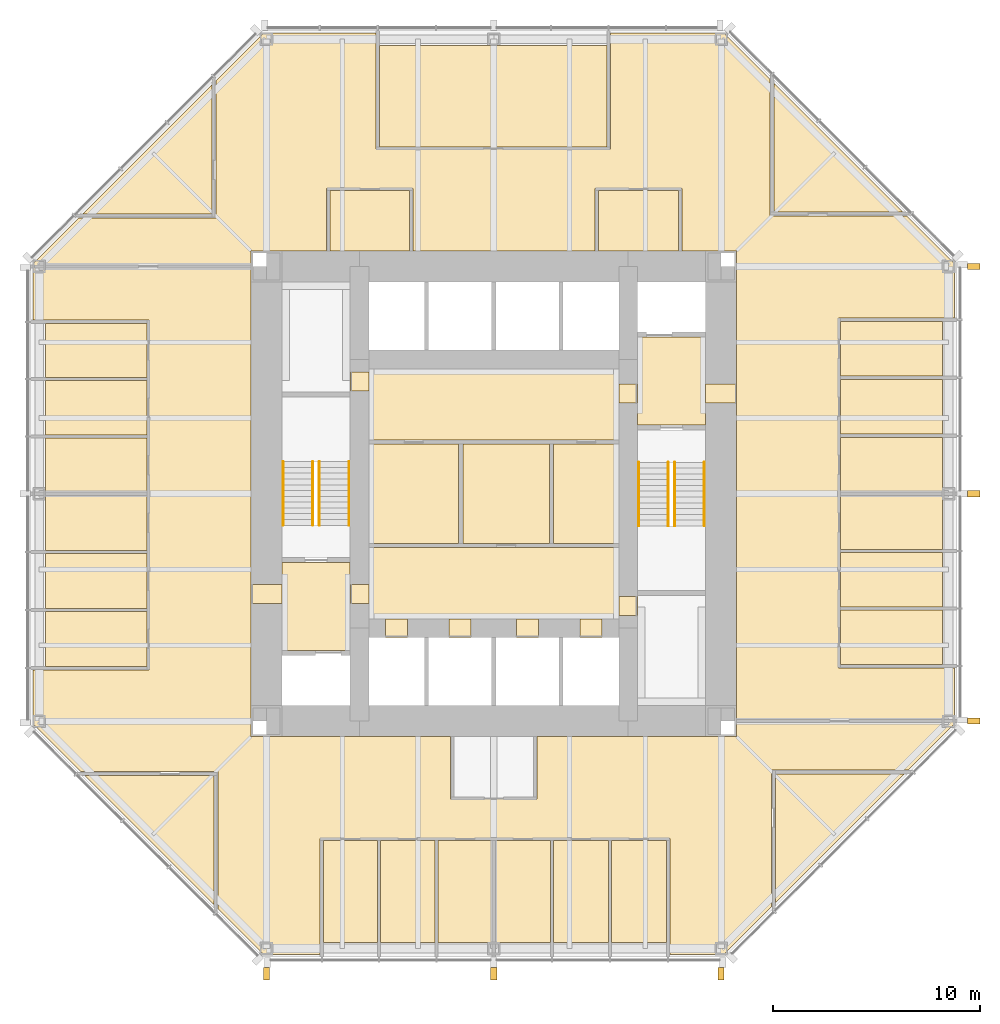
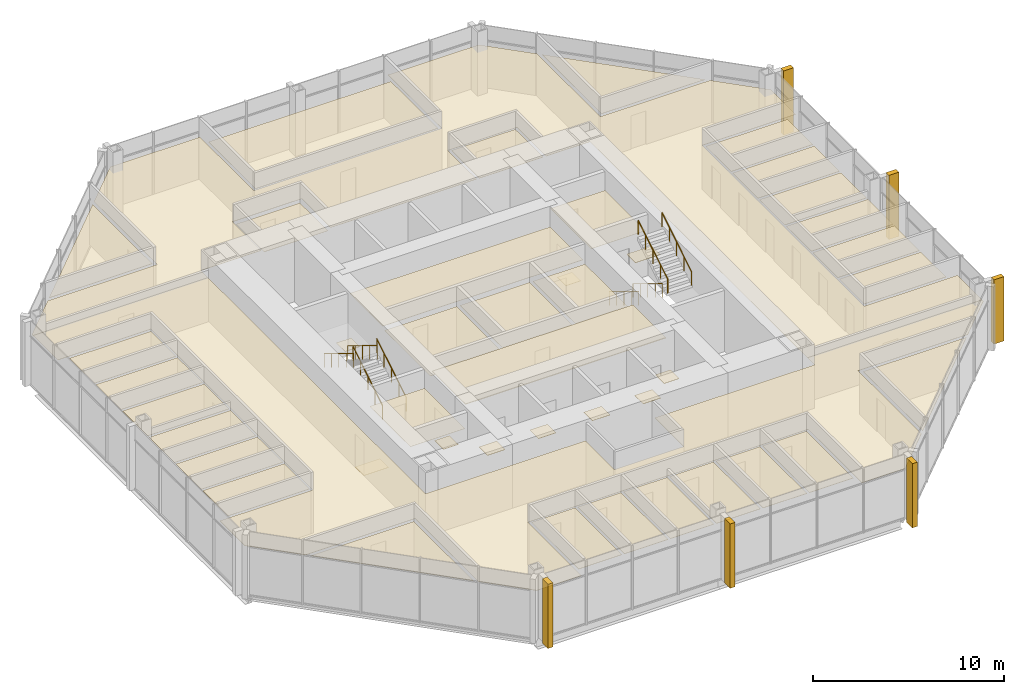
# One storey, part 12 of 12: 50 coverings, 8 railings.
"""IFC4 building model written with IfcOpenShell, lengths in metres."""

from ifc_helpers import new_model, si_unit, direction, frame, origin, origin_2d, place, context, subcontext, project, spatial, polyline, rectangle, circle, outline, extrude, material, layer, layer_set, type_object, element, save


model = new_model("IFC4")

# Units and contexts
model_context = context("Model", 3, precision=1e-05, world=origin(), true_north=direction((0.0, 1.0)))
body_context = subcontext(model_context, "Body", "Model", "MODEL_VIEW")
ifc_project = project(units=[si_unit("LENGTHUNIT", "METRE"), si_unit("AREAUNIT", "SQUARE_METRE"), si_unit("VOLUMEUNIT", "CUBIC_METRE"), si_unit("PLANEANGLEUNIT", "RADIAN"), si_unit("MASSUNIT", "GRAM", prefix="KILO")], contexts=[model_context])

# Site, building, storey
site_placement = place(None, origin())
site = spatial("IfcSite", under=ifc_project, at=site_placement, CompositionType="ELEMENT")
building_placement = place(site_placement, origin())
building = spatial("IfcBuilding", under=site, at=building_placement, Name="Trevanion Tower", CompositionType="ELEMENT")
storey_placement = place(building_placement, frame((0.0, 0.0, 174.60009765625)))
storey = spatial("IfcBuildingStorey", under=building, at=storey_placement, Name="L41", CompositionType="ELEMENT", Elevation=174.60009765625)

# Coverings
ifc_material_1 = material(Name="Fibrous plaster coffers on suspended steel grid", Category="steel")
ifc_layer_1 = layer(ifc_material_1, 0.050048828125)
ifc_layer_set_1 = layer_set([ifc_layer_1], Name="CL1 coffered fibrous plaster ceiling 50")
covering_type_1 = type_object("IfcCoveringType", Name="CL1 coffered fibrous plaster ceiling 50", PredefinedType="CEILING", material=ifc_layer_set_1)
covering_1_placement = place(storey_placement, frame((0.0, 0.0, 3.0)))
element("IfcCovering", 1, at=covering_1_placement, inside=storey, type_object=covering_type_1, Name="CL1 L41-LBS", PredefinedType="CEILING", context=body_context, shape_type="SweptSolid", body=[
    extrude(outline(polyline([(6.050048828125, -6.050048828125), (6.050048828125, -2.60009765625), (-6.050048828125, -2.60009765625), (-6.050048828125, -6.050048828125), (6.050048828125, -6.050048828125)])), origin(), (0.0, 0.0, 1.0), 0.0498046875),
])
ifc_material_2 = material(Name="Mineral fibre acoustic tiles in exposed grid", Category="mineral fibre")
ifc_layer_2 = layer(ifc_material_2, 0.02001953125)
ifc_layer_set_2 = layer_set([ifc_layer_2], Name="CL2 acoustic tile ceiling 20")
covering_type_2 = type_object("IfcCoveringType", Name="CL2 acoustic tile ceiling 20", PredefinedType="CEILING", material=ifc_layer_set_2)
covering_2_placement = place(storey_placement, frame((0.0, 0.0, 2.75)))
element("IfcCovering", 2, at=covering_2_placement, inside=storey, type_object=covering_type_2, Name="CL2 L41-LBN", PredefinedType="CEILING", context=body_context, shape_type="SweptSolid", body=[
    extrude(outline(polyline([(6.050048828125, 2.60009765625), (6.050048828125, 6.050048828125), (-6.050048828125, 6.050048828125), (-6.050048828125, 2.60009765625), (6.050048828125, 2.60009765625)])), origin(), (0.0, 0.0, 1.0), 0.02001953125),
])
covering_3_placement = place(storey_placement, frame((0.0, 0.0, 2.75)))
element("IfcCovering", 3, at=covering_3_placement, inside=storey, type_object=covering_type_2, Name="CL2 L41-OF", PredefinedType="CEILING", context=body_context, shape_type="SweptSolid", body=[
    extrude(outline(polyline([(13.549072265625, 19.875244140625), (19.783203125, 13.64111328125), (13.549072265625, 13.64111328125), (13.549072265625, 19.875244140625)])), origin(), (0.0, 0.0, 1.0), 0.02001953125),
])
covering_4_placement = place(storey_placement, frame((0.0, 0.0, 2.75)))
element("IfcCovering", 4, at=covering_4_placement, inside=storey, type_object=covering_type_2, Name="CL2 L41-OF2", PredefinedType="CEILING", context=body_context, shape_type="SweptSolid", body=[
    extrude(outline(polyline([(-19.875244140625, 13.549072265625), (-13.64111328125, 19.783203125), (-13.64111328125, 13.549072265625), (-19.875244140625, 13.549072265625)])), origin(), (0.0, 0.0, 1.0), 0.02001953125),
])
covering_5_placement = place(storey_placement, frame((0.0, 0.0, 2.75)))
element("IfcCovering", 5, at=covering_5_placement, inside=storey, type_object=covering_type_2, Name="CL2 L41-OF3", PredefinedType="CEILING", context=body_context, shape_type="SweptSolid", body=[
    extrude(outline(polyline([(-13.549072265625, -19.875244140625), (-19.783203125, -13.64111328125), (-13.549072265625, -13.64111328125), (-13.549072265625, -19.875244140625)])), origin(), (0.0, 0.0, 1.0), 0.02001953125),
])
covering_6_placement = place(storey_placement, frame((0.0, 0.0, 2.75)))
element("IfcCovering", 6, at=covering_6_placement, inside=storey, type_object=covering_type_2, Name="CL2 L41-OF4", PredefinedType="CEILING", context=body_context, shape_type="SweptSolid", body=[
    extrude(outline(polyline([(19.875244140625, -13.549072265625), (13.64111328125, -19.783203125), (13.64111328125, -13.549072265625), (19.875244140625, -13.549072265625)])), origin(), (0.0, 0.0, 1.0), 0.02001953125),
])
covering_7_placement = place(storey_placement, frame((0.0, 0.0, 2.75)))
element("IfcCovering", 7, at=covering_7_placement, inside=storey, type_object=covering_type_2, Name="CL2 L41-OF5", PredefinedType="CEILING", context=body_context, shape_type="SweptSolid", body=[
    extrude(outline(polyline([(16.77490234375, -8.248046875), (16.77490234375, -5.6240234375), (21.699951171875, -5.6240234375), (21.699951171875, -8.248046875), (16.77490234375, -8.248046875)])), origin(), (0.0, 0.0, 1.0), 0.02001953125),
])
covering_8_placement = place(storey_placement, frame((0.0, 0.0, 2.75)))
element("IfcCovering", 8, at=covering_8_placement, inside=storey, type_object=covering_type_2, Name="CL2 L41-OF6", PredefinedType="CEILING", context=body_context, shape_type="SweptSolid", body=[
    extrude(outline(polyline([(16.77490234375, -5.47412109375), (16.77490234375, -2.85009765625), (21.699951171875, -2.85009765625), (21.699951171875, -5.47412109375), (16.77490234375, -5.47412109375)])), origin(), (0.0, 0.0, 1.0), 0.02001953125),
])
covering_9_placement = place(storey_placement, frame((0.0, 0.0, 2.75)))
element("IfcCovering", 9, at=covering_9_placement, inside=storey, type_object=covering_type_2, Name="CL2 L41-OF7", PredefinedType="CEILING", context=body_context, shape_type="SweptSolid", body=[
    extrude(outline(polyline([(16.77490234375, -2.699951171875), (16.77490234375, -0.074951171875), (21.699951171875, -0.074951171875), (21.699951171875, -2.699951171875), (16.77490234375, -2.699951171875)])), origin(), (0.0, 0.0, 1.0), 0.02001953125),
])
covering_10_placement = place(storey_placement, frame((0.0, 0.0, 2.75)))
element("IfcCovering", 10, at=covering_10_placement, inside=storey, type_object=covering_type_2, Name="CL2 L41-OF8", PredefinedType="CEILING", context=body_context, shape_type="SweptSolid", body=[
    extrude(outline(polyline([(16.77490234375, 0.074951171875), (16.77490234375, 2.73193359375), (21.699951171875, 2.73193359375), (21.699951171875, 0.074951171875), (16.77490234375, 0.074951171875)])), origin(), (0.0, 0.0, 1.0), 0.02001953125),
])
covering_11_placement = place(storey_placement, frame((0.0, 0.0, 2.75)))
element("IfcCovering", 11, at=covering_11_placement, inside=storey, type_object=covering_type_2, Name="CL2 L41-OF9", PredefinedType="CEILING", context=body_context, shape_type="SweptSolid", body=[
    extrude(outline(polyline([(16.77490234375, 2.882080078125), (16.77490234375, 5.5390625), (21.699951171875, 5.5390625), (21.699951171875, 2.882080078125), (16.77490234375, 2.882080078125)])), origin(), (0.0, 0.0, 1.0), 0.02001953125),
])
covering_12_placement = place(storey_placement, frame((0.0, 0.0, 2.75)))
element("IfcCovering", 12, at=covering_12_placement, inside=storey, type_object=covering_type_2, Name="CL2 L41-OF10", PredefinedType="CEILING", context=body_context, shape_type="SweptSolid", body=[
    extrude(outline(polyline([(16.77490234375, 5.68896484375), (16.77490234375, 8.345947265625), (21.699951171875, 8.345947265625), (21.699951171875, 5.68896484375), (16.77490234375, 5.68896484375)])), origin(), (0.0, 0.0, 1.0), 0.02001953125),
])
covering_13_placement = place(storey_placement, frame((0.0, 0.0, 2.75)))
element("IfcCovering", 13, at=covering_13_placement, inside=storey, type_object=covering_type_2, Name="CL2 L41-BR", PredefinedType="CEILING", context=body_context, shape_type="SweptSolid", body=[
    extrude(outline(polyline([(5.47412109375, 16.77490234375), (-5.5390625, 16.77490234375), (-5.5390625, 21.699951171875), (5.47412109375, 21.699951171875), (5.47412109375, 16.77490234375)])), origin(), (0.0, 0.0, 1.0), 0.02001953125),
])
covering_14_placement = place(storey_placement, frame((0.0, 0.0, 2.75)))
element("IfcCovering", 14, at=covering_14_placement, inside=storey, type_object=covering_type_2, Name="CL2 L41-OF11", PredefinedType="CEILING", context=body_context, shape_type="SweptSolid", body=[
    extrude(outline(polyline([(-16.77490234375, 8.248046875), (-16.77490234375, 5.6240234375), (-21.699951171875, 5.6240234375), (-21.699951171875, 8.248046875), (-16.77490234375, 8.248046875)])), origin(), (0.0, 0.0, 1.0), 0.02001953125),
])
covering_15_placement = place(storey_placement, frame((0.0, 0.0, 2.75)))
element("IfcCovering", 15, at=covering_15_placement, inside=storey, type_object=covering_type_2, Name="CL2 L41-OF12", PredefinedType="CEILING", context=body_context, shape_type="SweptSolid", body=[
    extrude(outline(polyline([(-16.77490234375, 5.47412109375), (-16.77490234375, 2.85009765625), (-21.699951171875, 2.85009765625), (-21.699951171875, 5.47412109375), (-16.77490234375, 5.47412109375)])), origin(), (0.0, 0.0, 1.0), 0.02001953125),
])
covering_16_placement = place(storey_placement, frame((0.0, 0.0, 2.75)))
element("IfcCovering", 16, at=covering_16_placement, inside=storey, type_object=covering_type_2, Name="CL2 L41-OF13", PredefinedType="CEILING", context=body_context, shape_type="SweptSolid", body=[
    extrude(outline(polyline([(-16.77490234375, 2.699951171875), (-16.77490234375, 0.074951171875), (-21.699951171875, 0.074951171875), (-21.699951171875, 2.699951171875), (-16.77490234375, 2.699951171875)])), origin(), (0.0, 0.0, 1.0), 0.02001953125),
])
covering_17_placement = place(storey_placement, frame((0.0, 0.0, 2.75)))
element("IfcCovering", 17, at=covering_17_placement, inside=storey, type_object=covering_type_2, Name="CL2 L41-OF14", PredefinedType="CEILING", context=body_context, shape_type="SweptSolid", body=[
    extrude(outline(polyline([(-16.77490234375, -0.074951171875), (-16.77490234375, -2.73193359375), (-21.699951171875, -2.73193359375), (-21.699951171875, -0.074951171875), (-16.77490234375, -0.074951171875)])), origin(), (0.0, 0.0, 1.0), 0.02001953125),
])
covering_18_placement = place(storey_placement, frame((0.0, 0.0, 2.75)))
element("IfcCovering", 18, at=covering_18_placement, inside=storey, type_object=covering_type_2, Name="CL2 L41-OF15", PredefinedType="CEILING", context=body_context, shape_type="SweptSolid", body=[
    extrude(outline(polyline([(-16.77490234375, -2.882080078125), (-16.77490234375, -5.5390625), (-21.699951171875, -5.5390625), (-21.699951171875, -2.882080078125), (-16.77490234375, -2.882080078125)])), origin(), (0.0, 0.0, 1.0), 0.02001953125),
])
covering_19_placement = place(storey_placement, frame((0.0, 0.0, 2.75)))
element("IfcCovering", 19, at=covering_19_placement, inside=storey, type_object=covering_type_2, Name="CL2 L41-OF16", PredefinedType="CEILING", context=body_context, shape_type="SweptSolid", body=[
    extrude(outline(polyline([(-16.77490234375, -5.68896484375), (-16.77490234375, -8.345947265625), (-21.699951171875, -8.345947265625), (-21.699951171875, -5.68896484375), (-16.77490234375, -5.68896484375)])), origin(), (0.0, 0.0, 1.0), 0.02001953125),
])
covering_20_placement = place(storey_placement, frame((0.0, 0.0, 2.75)))
element("IfcCovering", 20, at=covering_20_placement, inside=storey, type_object=covering_type_2, Name="CL2 L41-OF17", PredefinedType="CEILING", context=body_context, shape_type="SweptSolid", body=[
    extrude(outline(polyline([(-8.248046875, -16.77490234375), (-5.6240234375, -16.77490234375), (-5.6240234375, -21.699951171875), (-8.248046875, -21.699951171875), (-8.248046875, -16.77490234375)])), origin(), (0.0, 0.0, 1.0), 0.02001953125),
])
covering_21_placement = place(storey_placement, frame((0.0, 0.0, 2.75)))
element("IfcCovering", 21, at=covering_21_placement, inside=storey, type_object=covering_type_2, Name="CL2 L41-OF18", PredefinedType="CEILING", context=body_context, shape_type="SweptSolid", body=[
    extrude(outline(polyline([(-5.47412109375, -16.77490234375), (-2.85009765625, -16.77490234375), (-2.85009765625, -21.699951171875), (-5.47412109375, -21.699951171875), (-5.47412109375, -16.77490234375)])), origin(), (0.0, 0.0, 1.0), 0.02001953125),
])
covering_22_placement = place(storey_placement, frame((0.0, 0.0, 2.75)))
element("IfcCovering", 22, at=covering_22_placement, inside=storey, type_object=covering_type_2, Name="CL2 L41-OF19", PredefinedType="CEILING", context=body_context, shape_type="SweptSolid", body=[
    extrude(outline(polyline([(-2.699951171875, -16.77490234375), (-0.074951171875, -16.77490234375), (-0.074951171875, -21.699951171875), (-2.699951171875, -21.699951171875), (-2.699951171875, -16.77490234375)])), origin(), (0.0, 0.0, 1.0), 0.02001953125),
])
covering_23_placement = place(storey_placement, frame((0.0, 0.0, 2.75)))
element("IfcCovering", 23, at=covering_23_placement, inside=storey, type_object=covering_type_2, Name="CL2 L41-OF20", PredefinedType="CEILING", context=body_context, shape_type="SweptSolid", body=[
    extrude(outline(polyline([(0.074951171875, -16.77490234375), (2.73193359375, -16.77490234375), (2.73193359375, -21.699951171875), (0.074951171875, -21.699951171875), (0.074951171875, -16.77490234375)])), origin(), (0.0, 0.0, 1.0), 0.02001953125),
])
covering_24_placement = place(storey_placement, frame((0.0, 0.0, 2.75)))
element("IfcCovering", 24, at=covering_24_placement, inside=storey, type_object=covering_type_2, Name="CL2 L41-OF21", PredefinedType="CEILING", context=body_context, shape_type="SweptSolid", body=[
    extrude(outline(polyline([(2.882080078125, -16.77490234375), (5.5390625, -16.77490234375), (5.5390625, -21.699951171875), (2.882080078125, -21.699951171875), (2.882080078125, -16.77490234375)])), origin(), (0.0, 0.0, 1.0), 0.02001953125),
])
covering_25_placement = place(storey_placement, frame((0.0, 0.0, 2.75)))
element("IfcCovering", 25, at=covering_25_placement, inside=storey, type_object=covering_type_2, Name="CL2 L41-OF22", PredefinedType="CEILING", context=body_context, shape_type="SweptSolid", body=[
    extrude(outline(polyline([(5.68896484375, -16.77490234375), (8.345947265625, -16.77490234375), (8.345947265625, -21.699951171875), (5.68896484375, -21.699951171875), (5.68896484375, -16.77490234375)])), origin(), (0.0, 0.0, 1.0), 0.02001953125),
])
covering_26_placement = place(storey_placement, frame((0.0, 0.0, 2.75)))
element("IfcCovering", 26, at=covering_26_placement, inside=storey, type_object=covering_type_2, Name="CL2 L41-RC", PredefinedType="CEILING", context=body_context, shape_type="SweptSolid", body=[
    extrude(outline(polyline([(5.074951171875, 14.675048828125), (8.925048828125, 14.675048828125), (8.925048828125, 11.75), (5.074951171875, 11.75), (5.074951171875, 14.675048828125)])), origin(), (0.0, 0.0, 1.0), 0.02001953125),
])
covering_27_placement = place(storey_placement, frame((0.0, 0.0, 2.75)))
element("IfcCovering", 27, at=covering_27_placement, inside=storey, type_object=covering_type_2, Name="CL2 L41-OP", PredefinedType="CEILING", context=body_context, shape_type="SweptSolid", body=[
    extrude(outline(polyline([(11.75, 11.75), (9.094970703125, 11.75), (9.094970703125, 14.77001953125), (4.905029296875, 14.77001953125), (4.905029296875, 11.75), (-3.905029296875, 11.75), (-3.905029296875, 14.77001953125), (-8.094970703125, 14.77001953125), (-8.094970703125, 11.75), (-11.75, 11.75), (-11.75, 11.0), (-22.300048828125, 11.0), (-22.300048828125, 11.124267578125), (-20.0703125, 13.35400390625), (-13.446044921875, 13.35400390625), (-13.446044921875, 19.978271484375), (-11.124267578125, 22.300048828125), (-5.708984375, 22.300048828125), (-5.708984375, 16.679931640625), (5.64404296875, 16.679931640625), (5.64404296875, 22.300048828125), (11.124267578125, 22.300048828125), (13.35400390625, 20.0703125), (13.35400390625, 13.446044921875), (19.978271484375, 13.446044921875), (22.300048828125, 11.124267578125), (22.300048828125, 8.51611328125), (16.679931640625, 8.51611328125), (16.679931640625, -8.41796875), (22.300048828125, -8.41796875), (22.300048828125, -11.0), (11.75, -11.0), (11.75, 11.75)])), origin(), (0.0, 0.0, 1.0), 0.02001953125),
])
covering_28_placement = place(storey_placement, frame((0.0, 0.0, 2.75)))
element("IfcCovering", 28, at=covering_28_placement, inside=storey, type_object=covering_type_2, Name="CL2 L41-OP2", PredefinedType="CEILING", context=body_context, shape_type="SweptSolid", body=[
    extrude(outline(polyline([(11.75, -11.0), (22.300048828125, -11.0), (22.300048828125, -11.124267578125), (20.0703125, -13.35400390625), (13.446044921875, -13.35400390625), (13.446044921875, -19.978271484375), (11.124267578125, -22.300048828125), (8.51611328125, -22.300048828125), (8.51611328125, -16.679931640625), (-8.41796875, -16.679931640625), (-8.41796875, -22.300048828125), (-11.124267578125, -22.300048828125), (-13.35400390625, -20.0703125), (-13.35400390625, -13.446044921875), (-19.978271484375, -13.446044921875), (-22.300048828125, -11.124267578125), (-22.300048828125, -8.51611328125), (-16.679931640625, -8.51611328125), (-16.679931640625, 8.41796875), (-22.300048828125, 8.41796875), (-22.300048828125, 11.0), (-11.75, 11.0), (-11.75, -11.75), (-2.094970703125, -11.75), (-2.094970703125, -14.77001953125), (2.094970703125, -14.77001953125), (2.094970703125, -11.75), (11.75, -11.75), (11.75, -11.0)])), origin(), (0.0, 0.0, 1.0), 0.02001953125),
])
ifc_material_3 = material(Name="Gypsum plasterboard on suspended metal furring", Category="gypsum")
ifc_layer_3 = layer(ifc_material_3, 0.012939453125)
ifc_layer_set_3 = layer_set([ifc_layer_3], Name="CL3 plasterboard ceiling 13")
covering_type_3 = type_object("IfcCoveringType", Name="CL3 plasterboard ceiling 13", PredefinedType="CEILING", material=ifc_layer_set_3)
covering_29_placement = place(storey_placement, frame((0.0, 0.0, 2.699951171875)))
element("IfcCovering", 29, at=covering_29_placement, inside=storey, type_object=covering_type_3, Name="CL3 L41-FV1", PredefinedType="CEILING", context=body_context, shape_type="SweptSolid", body=[
    extrude(outline(polyline([(10.25, 3.324951171875), (10.25, 7.574951171875), (6.949951171875, 7.574951171875), (6.949951171875, 3.324951171875), (10.25, 3.324951171875)])), origin(), (0.0, 0.0, 1.0), 0.012939453125),
])
covering_30_placement = place(storey_placement, frame((0.0, 0.0, 2.699951171875)))
element("IfcCovering", 30, at=covering_30_placement, inside=storey, type_object=covering_type_3, Name="CL3 L41-FV2", PredefinedType="CEILING", context=body_context, shape_type="SweptSolid", body=[
    extrude(outline(polyline([(-10.25, -3.324951171875), (-10.25, -7.574951171875), (-6.949951171875, -7.574951171875), (-6.949951171875, -3.324951171875), (-10.25, -3.324951171875)])), origin(), (0.0, 0.0, 1.0), 0.012939453125),
])
ifc_material_4 = material(Name="Moisture-resistant gypsum board on suspended metal furring", Category="gypsum")
ifc_layer_4 = layer(ifc_material_4, 0.01611328125)
ifc_layer_set_4 = layer_set([ifc_layer_4], Name="CL4 moisture-resistant board ceiling 16")
covering_type_4 = type_object("IfcCoveringType", Name="CL4 moisture-resistant board ceiling 16", PredefinedType="CEILING", material=ifc_layer_set_4)
covering_31_placement = place(storey_placement, frame((0.0, 0.0, 2.599853515625)))
element("IfcCovering", 31, at=covering_31_placement, inside=storey, type_object=covering_type_4, Name="CL4 L41-WCF", PredefinedType="CEILING", context=body_context, shape_type="SweptSolid", body=[
    extrude(outline(polyline([(-1.699951171875, -2.39990234375), (-1.699951171875, 2.39990234375), (-6.050048828125, 2.39990234375), (-6.050048828125, -2.39990234375), (-1.699951171875, -2.39990234375)])), origin(), (0.0, 0.0, 1.0), 0.01611328125),
])
covering_32_placement = place(storey_placement, frame((0.0, 0.0, 2.599853515625)))
element("IfcCovering", 32, at=covering_32_placement, inside=storey, type_object=covering_type_4, Name="CL4 L41-WCM", PredefinedType="CEILING", context=body_context, shape_type="SweptSolid", body=[
    extrude(outline(polyline([(2.699951171875, -2.39990234375), (2.699951171875, 2.39990234375), (-1.5, 2.39990234375), (-1.5, -2.39990234375), (2.699951171875, -2.39990234375)])), origin(), (0.0, 0.0, 1.0), 0.01611328125),
])
covering_33_placement = place(storey_placement, frame((0.0, 0.0, 2.599853515625)))
element("IfcCovering", 33, at=covering_33_placement, inside=storey, type_object=covering_type_4, Name="CL4 L41-WCA", PredefinedType="CEILING", context=body_context, shape_type="SweptSolid", body=[
    extrude(outline(polyline([(6.050048828125, -2.39990234375), (6.050048828125, 2.39990234375), (2.89990234375, 2.39990234375), (2.89990234375, -2.39990234375), (6.050048828125, -2.39990234375)])), origin(), (0.0, 0.0, 1.0), 0.01611328125),
])
covering_34_placement = place(storey_placement, frame((0.0, 0.0, 2.599853515625)))
element("IfcCovering", 34, at=covering_34_placement, inside=storey, type_object=covering_type_4, Name="CL4 L41-PA", PredefinedType="CEILING", context=body_context, shape_type="SweptSolid", body=[
    extrude(outline(polyline([(-7.925048828125, 14.675048828125), (-4.074951171875, 14.675048828125), (-4.074951171875, 11.75), (-7.925048828125, 11.75), (-7.925048828125, 14.675048828125)])), origin(), (0.0, 0.0, 1.0), 0.01611328125),
])
ifc_material_5 = material(Name="Cast bronze fin on aluminium carrier", Category="aluminium")
covering_type_5 = type_object("IfcCoveringType", Name="F1 bronze fin", PredefinedType="CLADDING", material=ifc_material_5)
for number, where, z_axis, x_axis, name in (
    (35, (23.22509765625, -11.0, -0.190185546875), (0.0, 0.0, 1.0), (0.0, 1.0, 0.0), "F1 L41 east -11.0"),
    (36, (23.22509765625, 0.0, -0.190185546875), (0.0, 0.0, 1.0), (0.0, 1.0, 0.0), "F1 L41 east +0.0"),
    (37, (23.22509765625, 11.0, -0.190185546875), (0.0, 0.0, 1.0), (0.0, 1.0, 0.0), "F1 L41 east +11.0"),
    (38, (-11.0, -23.22509765625, -0.190185546875), (0.0, 0.0, 1.0), (1.0, 0.0, 0.0), "F1 L41 south -11.0"),
    (39, (0.0, -23.22509765625, -0.190185546875), (0.0, 0.0, 1.0), (1.0, 0.0, 0.0), "F1 L41 south +0.0"),
    (40, (11.0, -23.22509765625, -0.190185546875), (0.0, 0.0, 1.0), (1.0, 0.0, 0.0), "F1 L41 south +11.0"),
):
    element("IfcCovering", number, at=place(storey_placement, frame(where, z_axis=z_axis, x_axis=x_axis)), inside=storey, type_object=covering_type_5, Name=name, PredefinedType="CLADDING", context=body_context, shape_type="SweptSolid", body=[
        extrude(rectangle(XDim=0.300048828125, YDim=0.60009765625, at=origin_2d()), origin(), (0.0, 0.0, 1.0), 4.10009765625),
    ])
ifc_material_6 = material(Name="Terrazzo, brass divider strips", Category="stone")
ifc_layer_5 = layer(ifc_material_6, 0.02001953125)
ifc_layer_set_5 = layer_set([ifc_layer_5], Name="FF1 terrazzo flooring")
covering_type_6 = type_object("IfcCoveringType", Name="FF1 terrazzo flooring", PredefinedType="FLOORING", material=ifc_layer_set_5)
covering_35_placement = place(storey_placement, origin())
element("IfcCovering", 41, at=covering_35_placement, inside=storey, type_object=covering_type_6, Name="FF1 threshold 41-001", PredefinedType="FLOORING", context=body_context, shape_type="SweptSolid", body=[
    extrude(outline(polyline([(11.75, 4.392578125), (11.75, 5.3076171875), (10.25, 5.3076171875), (10.25, 4.392578125), (11.75, 4.392578125)])), origin(), (0.0, 0.0, 1.0), 0.02001953125),
])
covering_36_placement = place(storey_placement, origin())
element("IfcCovering", 42, at=covering_36_placement, inside=storey, type_object=covering_type_6, Name="FF1 threshold 41-002", PredefinedType="FLOORING", context=body_context, shape_type="SweptSolid", body=[
    extrude(outline(polyline([(-11.75, -4.392578125), (-11.75, -5.3076171875), (-10.25, -5.3076171875), (-10.25, -4.392578125), (-11.75, -4.392578125)])), origin(), (0.0, 0.0, 1.0), 0.02001953125),
])
covering_37_placement = place(storey_placement, origin())
element("IfcCovering", 43, at=covering_37_placement, inside=storey, type_object=covering_type_6, Name="FF1 threshold 41-003", PredefinedType="FLOORING", context=body_context, shape_type="SweptSolid", body=[
    extrude(outline(polyline([(6.949951171875, 4.392578125), (6.949951171875, 5.3076171875), (6.050048828125, 5.3076171875), (6.050048828125, 4.392578125), (6.949951171875, 4.392578125)])), origin(), (0.0, 0.0, 1.0), 0.02001953125),
])
covering_38_placement = place(storey_placement, origin())
element("IfcCovering", 44, at=covering_38_placement, inside=storey, type_object=covering_type_6, Name="FF1 threshold 41-004", PredefinedType="FLOORING", context=body_context, shape_type="SweptSolid", body=[
    extrude(outline(polyline([(-6.949951171875, -4.392578125), (-6.949951171875, -5.3076171875), (-6.050048828125, -5.3076171875), (-6.050048828125, -4.392578125), (-6.949951171875, -4.392578125)])), origin(), (0.0, 0.0, 1.0), 0.02001953125),
])
covering_39_placement = place(storey_placement, origin())
element("IfcCovering", 45, at=covering_39_placement, inside=storey, type_object=covering_type_6, Name="FF1 threshold 41-009", PredefinedType="FLOORING", context=body_context, shape_type="SweptSolid", body=[
    extrude(outline(polyline([(6.949951171875, -5.889892578125), (6.949951171875, -4.97509765625), (6.050048828125, -4.97509765625), (6.050048828125, -5.889892578125), (6.949951171875, -5.889892578125)])), origin(), (0.0, 0.0, 1.0), 0.02001953125),
])
covering_40_placement = place(storey_placement, origin())
element("IfcCovering", 46, at=covering_40_placement, inside=storey, type_object=covering_type_6, Name="FF1 threshold 41-010", PredefinedType="FLOORING", context=body_context, shape_type="SweptSolid", body=[
    extrude(outline(polyline([(-6.949951171875, 5.889892578125), (-6.949951171875, 4.97509765625), (-6.050048828125, 4.97509765625), (-6.050048828125, 5.889892578125), (-6.949951171875, 5.889892578125)])), origin(), (0.0, 0.0, 1.0), 0.02001953125),
])
covering_41_placement = place(storey_placement, origin())
element("IfcCovering", 47, at=covering_41_placement, inside=storey, type_object=covering_type_6, Name="FF1 threshold 41-011", PredefinedType="FLOORING", context=body_context, shape_type="SweptSolid", body=[
    extrude(outline(polyline([(-5.2333984375, -6.949951171875), (-4.16650390625, -6.949951171875), (-4.16650390625, -6.050048828125), (-5.2333984375, -6.050048828125), (-5.2333984375, -6.949951171875)])), origin(), (0.0, 0.0, 1.0), 0.02001953125),
])
covering_42_placement = place(storey_placement, origin())
element("IfcCovering", 48, at=covering_42_placement, inside=storey, type_object=covering_type_6, Name="FF1 threshold 41-012", PredefinedType="FLOORING", context=body_context, shape_type="SweptSolid", body=[
    extrude(outline(polyline([(-2.158447265625, -6.949951171875), (-1.091552734375, -6.949951171875), (-1.091552734375, -6.050048828125), (-2.158447265625, -6.050048828125), (-2.158447265625, -6.949951171875)])), origin(), (0.0, 0.0, 1.0), 0.02001953125),
])
covering_43_placement = place(storey_placement, origin())
element("IfcCovering", 49, at=covering_43_placement, inside=storey, type_object=covering_type_6, Name="FF1 threshold 41-013", PredefinedType="FLOORING", context=body_context, shape_type="SweptSolid", body=[
    extrude(outline(polyline([(1.091552734375, -6.949951171875), (2.158447265625, -6.949951171875), (2.158447265625, -6.050048828125), (1.091552734375, -6.050048828125), (1.091552734375, -6.949951171875)])), origin(), (0.0, 0.0, 1.0), 0.02001953125),
])
covering_44_placement = place(storey_placement, origin())
element("IfcCovering", 50, at=covering_44_placement, inside=storey, type_object=covering_type_6, Name="FF1 threshold 41-014", PredefinedType="FLOORING", context=body_context, shape_type="SweptSolid", body=[
    extrude(outline(polyline([(4.16650390625, -6.949951171875), (5.2333984375, -6.949951171875), (5.2333984375, -6.050048828125), (4.16650390625, -6.050048828125), (4.16650390625, -6.949951171875)])), origin(), (0.0, 0.0, 1.0), 0.02001953125),
])

# Railings
ifc_material_7 = material(Name="Stainless steel tube 40 mm", Category="steel")
railing_type = type_object("IfcRailingType", Name="HR1 handrail", PredefinedType="HANDRAIL", material=ifc_material_7)
for number, where, name in (
    (51, (7.010009765625, 1.52490234375, 0.170654296875), "HR1 ST1 L41 flight 1"),
    (52, (8.43994140625, 1.52490234375, 0.170654296875), "HR1 ST1 L41 flight 1"),
):
    element("IfcRailing", number, at=place(storey_placement, frame(where)), inside=storey, type_object=railing_type, Name=name, PredefinedType="HANDRAIL", context=body_context, shape_type="SweptSolid", body=[
        extrude(circle(Radius=0.02001953125, at=origin_2d()), frame((0.0, 0.0, 0.8798828125), z_axis=(0.0, -0.853647949592, 0.520850437417), x_axis=(1.0, 0.0, 0.0)), (0.0, 0.0, 1.0), 3.60791015625),
        extrude(circle(Radius=0.01513671875, at=origin_2d()), origin(), (0.0, 0.0, 1.0), 0.85986328125),
        extrude(circle(Radius=0.01513671875, at=origin_2d()), frame((0.0, -0.77001953125, 0.4697265625)), (0.0, 0.0, 1.0), 0.85986328125),
        extrude(circle(Radius=0.01513671875, at=origin_2d()), frame((0.0, -1.5400390625, 0.939453125)), (0.0, 0.0, 1.0), 0.85986328125),
        extrude(circle(Radius=0.01513671875, at=origin_2d()), frame((0.0, -2.309814453125, 1.409423828125)), (0.0, 0.0, 1.0), 0.85986328125),
        extrude(circle(Radius=0.01513671875, at=origin_2d()), frame((0.0, -3.079833984375, 1.879150390625)), (0.0, 0.0, 1.0), 0.85986328125),
    ])
for number, where, name in (
    (53, (8.760009765625, -1.554931640625, 2.220703125), "HR1 ST1 L41 flight 2"),
    (54, (10.18994140625, -1.554931640625, 2.220703125), "HR1 ST1 L41 flight 2"),
    (55, (-7.010009765625, -1.52490234375, 0.170654296875), "HR1 ST2 L41 flight 1"),
    (56, (-8.43994140625, -1.52490234375, 0.170654296875), "HR1 ST2 L41 flight 1"),
):
    element("IfcRailing", number, at=place(storey_placement, frame(where)), inside=storey, type_object=railing_type, Name=name, PredefinedType="HANDRAIL", context=body_context, shape_type="SweptSolid", body=[
        extrude(circle(Radius=0.02001953125, at=origin_2d()), frame((0.0, 0.0, 0.8798828125), z_axis=(0.0, 0.853647949592, 0.520850437417), x_axis=(-1.0, 0.0, 0.0)), (0.0, 0.0, 1.0), 3.60791015625),
        extrude(circle(Radius=0.01513671875, at=origin_2d()), origin(), (0.0, 0.0, 1.0), 0.85986328125),
        extrude(circle(Radius=0.01513671875, at=origin_2d()), frame((0.0, 0.77001953125, 0.4697265625)), (0.0, 0.0, 1.0), 0.85986328125),
        extrude(circle(Radius=0.01513671875, at=origin_2d()), frame((0.0, 1.5400390625, 0.939453125)), (0.0, 0.0, 1.0), 0.85986328125),
        extrude(circle(Radius=0.01513671875, at=origin_2d()), frame((0.0, 2.309814453125, 1.409423828125)), (0.0, 0.0, 1.0), 0.85986328125),
        extrude(circle(Radius=0.01513671875, at=origin_2d()), frame((0.0, 3.079833984375, 1.879150390625)), (0.0, 0.0, 1.0), 0.85986328125),
    ])
for number, where, name in (
    (57, (-8.760009765625, 1.554931640625, 2.220703125), "HR1 ST2 L41 flight 2"),
    (58, (-10.18994140625, 1.554931640625, 2.220703125), "HR1 ST2 L41 flight 2"),
):
    element("IfcRailing", number, at=place(storey_placement, frame(where)), inside=storey, type_object=railing_type, Name=name, PredefinedType="HANDRAIL", context=body_context, shape_type="SweptSolid", body=[
        extrude(circle(Radius=0.02001953125, at=origin_2d()), frame((0.0, 0.0, 0.8798828125), z_axis=(0.0, -0.853647949592, 0.520850437417), x_axis=(1.0, 0.0, 0.0)), (0.0, 0.0, 1.0), 3.60791015625),
        extrude(circle(Radius=0.01513671875, at=origin_2d()), origin(), (0.0, 0.0, 1.0), 0.85986328125),
        extrude(circle(Radius=0.01513671875, at=origin_2d()), frame((0.0, -0.77001953125, 0.4697265625)), (0.0, 0.0, 1.0), 0.85986328125),
        extrude(circle(Radius=0.01513671875, at=origin_2d()), frame((0.0, -1.5400390625, 0.939453125)), (0.0, 0.0, 1.0), 0.85986328125),
        extrude(circle(Radius=0.01513671875, at=origin_2d()), frame((0.0, -2.309814453125, 1.409423828125)), (0.0, 0.0, 1.0), 0.85986328125),
        extrude(circle(Radius=0.01513671875, at=origin_2d()), frame((0.0, -3.079833984375, 1.879150390625)), (0.0, 0.0, 1.0), 0.85986328125),
    ])

save(model, "model.ifc")
